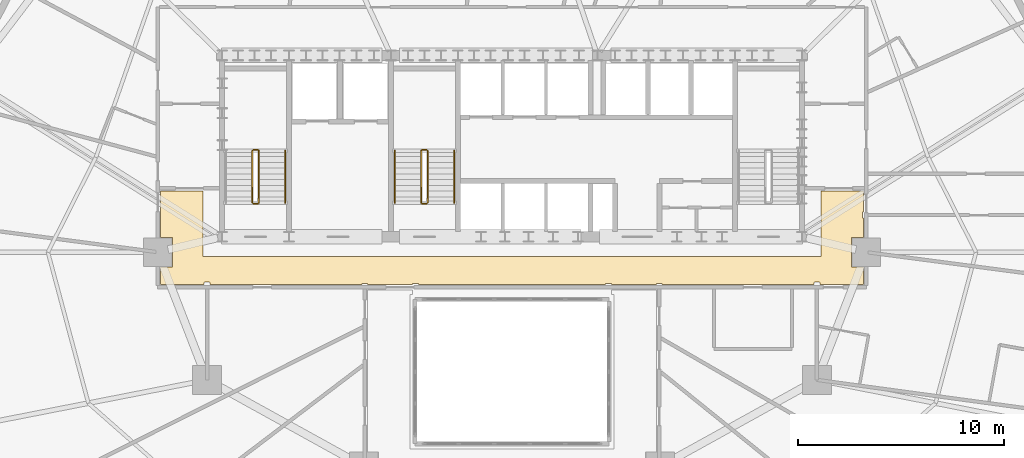
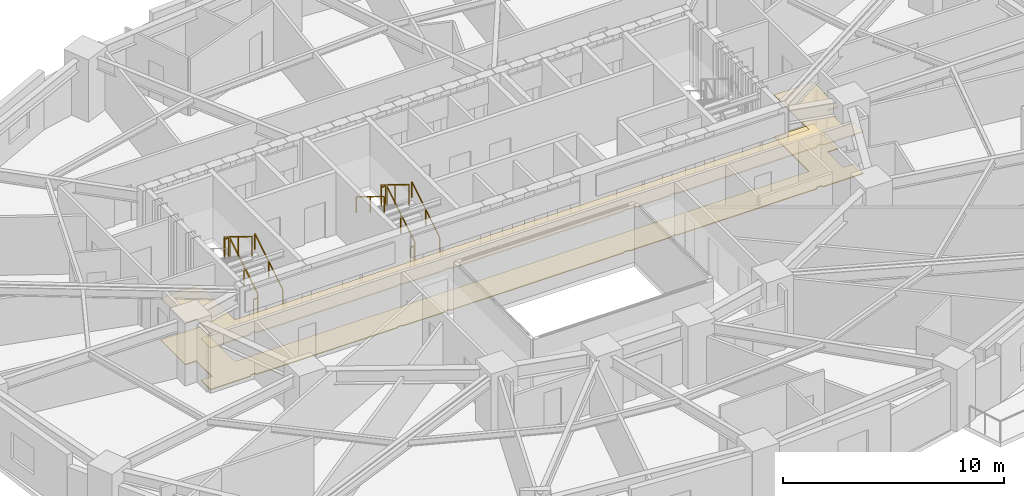
# One storey, part 14 of 15: 11 railings, 2 coverings.
"""IFC4 building model written with IfcOpenShell, lengths in metres."""

from ifc_helpers import new_model, si_unit, direction, frame, origin, origin_2d, place, context, subcontext, project, spatial, polyline, rectangle, outline, extrude, material, layer, layer_set, type_object, element, save


model = new_model("IFC4")

# Units and contexts
model_context = context("Model", 3, precision=1e-05, world=origin(), true_north=direction((0.0, 1.0)))
body_context = subcontext(model_context, "Body", "Model", "MODEL_VIEW")
ifc_project = project(units=[si_unit("LENGTHUNIT", "METRE"), si_unit("AREAUNIT", "SQUARE_METRE"), si_unit("VOLUMEUNIT", "CUBIC_METRE"), si_unit("PLANEANGLEUNIT", "RADIAN"), si_unit("MASSUNIT", "GRAM", prefix="KILO")], contexts=[model_context])

# Site, building, storey
site_placement = place(None, origin())
site = spatial("IfcSite", under=ifc_project, at=site_placement, CompositionType="ELEMENT")
building_placement = place(site_placement, origin())
building = spatial("IfcBuilding", under=site, at=building_placement, Name="Haldorwick Loom Tower", CompositionType="ELEMENT")
storey_placement = place(building_placement, frame((0.0, 0.0, 85.25)))
storey = spatial("IfcBuildingStorey", under=building, at=storey_placement, Name="L22", CompositionType="ELEMENT", Elevation=85.25)

# Coverings
ifc_material_1 = material(Name="Mineral Fibre Acoustic Ceiling Tile")
ifc_layer_1 = layer(ifc_material_1, 0.054931640625, Name="Mineral Fibre Acoustic Ceiling Tile")
ifc_layer_set_1 = layer_set([ifc_layer_1], Name="Mineral Fibre Acoustic Ceiling Tile")
covering_type_1 = type_object("IfcCoveringType", Name="ARC-COV-CEIL2", PredefinedType="CEILING", material=ifc_layer_set_1)
covering_1_placement = place(storey_placement, frame((0.0, 0.0, 2.302001953125)))
element("IfcCovering", 1, at=covering_1_placement, inside=storey, type_object=covering_type_1, Name="L22 Acoustic Suspended Ceiling 2", PredefinedType="CEILING", context=body_context, shape_type="SweptSolid", body=[
    extrude(outline(polyline([(51.0, 28.9599609375), (51.0, 25.800048828125), (21.0, 25.800048828125), (21.0, 28.9599609375), (18.93994140625, 28.9599609375), (18.93994140625, 26.7080078125), (19.508056640625, 26.7080078125), (19.508056640625, 25.2919921875), (18.93994140625, 25.2919921875), (18.93994140625, 24.43994140625), (21.06005859375, 24.43994140625), (21.06005859375, 24.52001953125), (21.06005859375, 24.52197265625), (21.060302734375, 24.52392578125), (21.060791015625, 24.52587890625), (21.0615234375, 24.527587890625), (21.0625, 24.529296875), (21.0634765625, 24.531005859375), (21.064453125, 24.53271484375), (21.06591796875, 24.5341796875), (21.0673828125, 24.535400390625), (21.06884765625, 24.53662109375), (21.070556640625, 24.53759765625), (21.072265625, 24.53857421875), (21.07421875, 24.5390625), (21.076171875, 24.53955078125), (21.077880859375, 24.539794921875), (21.080078125, 24.5400390625), (21.320068359375, 24.5400390625), (21.322021484375, 24.539794921875), (21.323974609375, 24.53955078125), (21.32568359375, 24.5390625), (21.32763671875, 24.53857421875), (21.329345703125, 24.53759765625), (21.3310546875, 24.53662109375), (21.332763671875, 24.535400390625), (21.333984375, 24.5341796875), (21.33544921875, 24.53271484375), (21.336669921875, 24.531005859375), (21.337646484375, 24.529296875), (21.33837890625, 24.527587890625), (21.339111328125, 24.52587890625), (21.339599609375, 24.52392578125), (21.33984375, 24.52197265625), (21.340087890625, 24.52001953125), (21.340087890625, 24.43994140625), (28.7099609375, 24.43994140625), (28.7099609375, 24.469970703125), (28.710205078125, 24.471923828125), (28.71044921875, 24.473876953125), (28.7109375, 24.475830078125), (28.71142578125, 24.477783203125), (28.71240234375, 24.4794921875), (28.71337890625, 24.481201171875), (28.714599609375, 24.482666015625), (28.7158203125, 24.484130859375), (28.71728515625, 24.485595703125), (28.718994140625, 24.486572265625), (28.720703125, 24.487548828125), (28.722412109375, 24.488525390625), (28.72412109375, 24.489013671875), (28.72607421875, 24.489501953125), (28.72802734375, 24.489990234375), (28.72998046875, 24.489990234375), (28.969970703125, 24.489990234375), (28.971923828125, 24.489990234375), (28.973876953125, 24.489501953125), (28.975830078125, 24.489013671875), (28.977783203125, 24.488525390625), (28.9794921875, 24.487548828125), (28.981201171875, 24.486572265625), (28.982666015625, 24.485595703125), (28.984130859375, 24.484130859375), (28.985595703125, 24.482666015625), (28.986572265625, 24.481201171875), (28.987548828125, 24.4794921875), (28.988525390625, 24.477783203125), (28.989013671875, 24.475830078125), (28.989501953125, 24.473876953125), (28.989990234375, 24.471923828125), (28.989990234375, 24.469970703125), (28.989990234375, 24.43994140625), (31.179931640625, 24.43994140625), (31.179931640625, 24.469970703125), (31.18017578125, 24.471923828125), (31.180419921875, 24.473876953125), (31.180908203125, 24.475830078125), (31.181396484375, 24.477783203125), (31.182373046875, 24.4794921875), (31.183349609375, 24.481201171875), (31.1845703125, 24.482666015625), (31.185791015625, 24.484130859375), (31.187255859375, 24.485595703125), (31.18896484375, 24.486572265625), (31.190673828125, 24.487548828125), (31.1923828125, 24.488525390625), (31.194091796875, 24.489013671875), (31.196044921875, 24.489501953125), (31.197998046875, 24.489990234375), (31.199951171875, 24.489990234375), (31.43994140625, 24.489990234375), (31.44189453125, 24.489990234375), (31.44384765625, 24.489501953125), (31.44580078125, 24.489013671875), (31.44775390625, 24.488525390625), (31.449462890625, 24.487548828125), (31.451171875, 24.486572265625), (31.45263671875, 24.485595703125), (31.4541015625, 24.484130859375), (31.45556640625, 24.482666015625), (31.45654296875, 24.481201171875), (31.45751953125, 24.4794921875), (31.45849609375, 24.477783203125), (31.458984375, 24.475830078125), (31.459716796875, 24.473876953125), (31.4599609375, 24.471923828125), (31.4599609375, 24.469970703125), (31.4599609375, 24.43994140625), (40.5400390625, 24.43994140625), (40.5400390625, 24.469970703125), (40.5400390625, 24.471923828125), (40.540283203125, 24.473876953125), (40.541015625, 24.475830078125), (40.54150390625, 24.477783203125), (40.54248046875, 24.4794921875), (40.54345703125, 24.481201171875), (40.54443359375, 24.482666015625), (40.5458984375, 24.484130859375), (40.54736328125, 24.485595703125), (40.548828125, 24.486572265625), (40.550537109375, 24.487548828125), (40.55224609375, 24.488525390625), (40.55419921875, 24.489013671875), (40.55615234375, 24.489501953125), (40.55810546875, 24.489990234375), (40.56005859375, 24.489990234375), (40.800048828125, 24.489990234375), (40.802001953125, 24.489990234375), (40.803955078125, 24.489501953125), (40.805908203125, 24.489013671875), (40.8076171875, 24.488525390625), (40.809326171875, 24.487548828125), (40.81103515625, 24.486572265625), (40.812744140625, 24.485595703125), (40.814208984375, 24.484130859375), (40.8154296875, 24.482666015625), (40.816650390625, 24.481201171875), (40.817626953125, 24.4794921875), (40.818603515625, 24.477783203125), (40.819091796875, 24.475830078125), (40.819580078125, 24.473876953125), (40.81982421875, 24.471923828125), (40.820068359375, 24.469970703125), (40.820068359375, 24.43994140625), (43.010009765625, 24.43994140625), (43.010009765625, 24.469970703125), (43.010009765625, 24.471923828125), (43.010498046875, 24.473876953125), (43.010986328125, 24.475830078125), (43.011474609375, 24.477783203125), (43.012451171875, 24.4794921875), (43.013427734375, 24.481201171875), (43.014404296875, 24.482666015625), (43.015869140625, 24.484130859375), (43.017333984375, 24.485595703125), (43.018798828125, 24.486572265625), (43.0205078125, 24.487548828125), (43.022216796875, 24.488525390625), (43.024169921875, 24.489013671875), (43.026123046875, 24.489501953125), (43.028076171875, 24.489990234375), (43.030029296875, 24.489990234375), (43.27001953125, 24.489990234375), (43.27197265625, 24.489990234375), (43.27392578125, 24.489501953125), (43.27587890625, 24.489013671875), (43.277587890625, 24.488525390625), (43.279296875, 24.487548828125), (43.281005859375, 24.486572265625), (43.28271484375, 24.485595703125), (43.2841796875, 24.484130859375), (43.285400390625, 24.482666015625), (43.28662109375, 24.481201171875), (43.28759765625, 24.4794921875), (43.28857421875, 24.477783203125), (43.2890625, 24.475830078125), (43.28955078125, 24.473876953125), (43.289794921875, 24.471923828125), (43.2900390625, 24.469970703125), (43.2900390625, 24.43994140625), (50.659912109375, 24.43994140625), (50.659912109375, 24.52001953125), (50.66015625, 24.52197265625), (50.660400390625, 24.52392578125), (50.660888671875, 24.52587890625), (50.66162109375, 24.527587890625), (50.662353515625, 24.529296875), (50.663330078125, 24.531005859375), (50.66455078125, 24.53271484375), (50.666015625, 24.5341796875), (50.667236328125, 24.535400390625), (50.6689453125, 24.53662109375), (50.670654296875, 24.53759765625), (50.67236328125, 24.53857421875), (50.67431640625, 24.5390625), (50.676025390625, 24.53955078125), (50.677978515625, 24.539794921875), (50.679931640625, 24.5400390625), (50.919921875, 24.5400390625), (50.922119140625, 24.539794921875), (50.923828125, 24.53955078125), (50.92578125, 24.5390625), (50.927734375, 24.53857421875), (50.929443359375, 24.53759765625), (50.93115234375, 24.53662109375), (50.9326171875, 24.535400390625), (50.93408203125, 24.5341796875), (50.935546875, 24.53271484375), (50.9365234375, 24.531005859375), (50.9375, 24.529296875), (50.9384765625, 24.527587890625), (50.939208984375, 24.52587890625), (50.939697265625, 24.52392578125), (50.93994140625, 24.52197265625), (50.93994140625, 24.52001953125), (50.93994140625, 24.43994140625), (53.06005859375, 24.43994140625), (53.06005859375, 25.2919921875), (52.491943359375, 25.2919921875), (52.491943359375, 26.7080078125), (53.06005859375, 26.7080078125), (53.06005859375, 27.659912109375), (53.030029296875, 27.659912109375), (53.028076171875, 27.66015625), (53.026123046875, 27.660400390625), (53.024169921875, 27.660888671875), (53.022216796875, 27.66162109375), (53.0205078125, 27.662353515625), (53.018798828125, 27.663330078125), (53.017333984375, 27.66455078125), (53.015869140625, 27.666015625), (53.014404296875, 27.667236328125), (53.013427734375, 27.6689453125), (53.012451171875, 27.670654296875), (53.011474609375, 27.67236328125), (53.010986328125, 27.67431640625), (53.010498046875, 27.676025390625), (53.010009765625, 27.677978515625), (53.010009765625, 27.679931640625), (53.010009765625, 27.919921875), (53.010009765625, 27.922119140625), (53.010498046875, 27.923828125), (53.010986328125, 27.92578125), (53.011474609375, 27.927734375), (53.012451171875, 27.929443359375), (53.013427734375, 27.93115234375), (53.014404296875, 27.9326171875), (53.015869140625, 27.93408203125), (53.017333984375, 27.935546875), (53.018798828125, 27.9365234375), (53.0205078125, 27.9375), (53.022216796875, 27.9384765625), (53.024169921875, 27.939208984375), (53.026123046875, 27.939697265625), (53.028076171875, 27.93994140625), (53.030029296875, 27.93994140625), (53.06005859375, 27.93994140625), (53.06005859375, 28.9599609375), (51.0, 28.9599609375)])), origin(), (0.0, 0.0, 1.0), 0.054931640625),
])
ifc_material_2 = material(Name="Polished Aggregate Terrazzo Finish")
ifc_layer_2 = layer(ifc_material_2, 0.044921875, Name="Polished Aggregate Terrazzo Finish")
ifc_layer_set_2 = layer_set([ifc_layer_2], Name="Polished Aggregate Terrazzo Finish")
covering_type_2 = type_object("IfcCoveringType", Name="ARC-COV-FLOOR2", PredefinedType="FLOORING", material=ifc_layer_set_2)
covering_2_placement = place(storey_placement, origin())
element("IfcCovering", 2, at=covering_2_placement, inside=storey, type_object=covering_type_2, Name="L22 Floor Finish 2", PredefinedType="FLOORING", context=body_context, shape_type="SweptSolid", body=[
    extrude(outline(polyline([(51.0, 28.9599609375), (51.0, 25.800048828125), (21.0, 25.800048828125), (21.0, 28.9599609375), (18.93994140625, 28.9599609375), (18.93994140625, 26.7080078125), (19.508056640625, 26.7080078125), (19.508056640625, 25.2919921875), (18.93994140625, 25.2919921875), (18.93994140625, 24.43994140625), (21.06005859375, 24.43994140625), (21.06005859375, 24.52001953125), (21.06005859375, 24.52197265625), (21.060302734375, 24.52392578125), (21.060791015625, 24.52587890625), (21.0615234375, 24.527587890625), (21.0625, 24.529296875), (21.0634765625, 24.531005859375), (21.064453125, 24.53271484375), (21.06591796875, 24.5341796875), (21.0673828125, 24.535400390625), (21.06884765625, 24.53662109375), (21.070556640625, 24.53759765625), (21.072265625, 24.53857421875), (21.07421875, 24.5390625), (21.076171875, 24.53955078125), (21.077880859375, 24.539794921875), (21.080078125, 24.5400390625), (21.320068359375, 24.5400390625), (21.322021484375, 24.539794921875), (21.323974609375, 24.53955078125), (21.32568359375, 24.5390625), (21.32763671875, 24.53857421875), (21.329345703125, 24.53759765625), (21.3310546875, 24.53662109375), (21.332763671875, 24.535400390625), (21.333984375, 24.5341796875), (21.33544921875, 24.53271484375), (21.336669921875, 24.531005859375), (21.337646484375, 24.529296875), (21.33837890625, 24.527587890625), (21.339111328125, 24.52587890625), (21.339599609375, 24.52392578125), (21.33984375, 24.52197265625), (21.340087890625, 24.52001953125), (21.340087890625, 24.43994140625), (28.7099609375, 24.43994140625), (28.7099609375, 24.469970703125), (28.710205078125, 24.471923828125), (28.71044921875, 24.473876953125), (28.7109375, 24.475830078125), (28.71142578125, 24.477783203125), (28.71240234375, 24.4794921875), (28.71337890625, 24.481201171875), (28.714599609375, 24.482666015625), (28.7158203125, 24.484130859375), (28.71728515625, 24.485595703125), (28.718994140625, 24.486572265625), (28.720703125, 24.487548828125), (28.722412109375, 24.488525390625), (28.72412109375, 24.489013671875), (28.72607421875, 24.489501953125), (28.72802734375, 24.489990234375), (28.72998046875, 24.489990234375), (28.969970703125, 24.489990234375), (28.971923828125, 24.489990234375), (28.973876953125, 24.489501953125), (28.975830078125, 24.489013671875), (28.977783203125, 24.488525390625), (28.9794921875, 24.487548828125), (28.981201171875, 24.486572265625), (28.982666015625, 24.485595703125), (28.984130859375, 24.484130859375), (28.985595703125, 24.482666015625), (28.986572265625, 24.481201171875), (28.987548828125, 24.4794921875), (28.988525390625, 24.477783203125), (28.989013671875, 24.475830078125), (28.989501953125, 24.473876953125), (28.989990234375, 24.471923828125), (28.989990234375, 24.469970703125), (28.989990234375, 24.43994140625), (31.179931640625, 24.43994140625), (31.179931640625, 24.469970703125), (31.18017578125, 24.471923828125), (31.180419921875, 24.473876953125), (31.180908203125, 24.475830078125), (31.181396484375, 24.477783203125), (31.182373046875, 24.4794921875), (31.183349609375, 24.481201171875), (31.1845703125, 24.482666015625), (31.185791015625, 24.484130859375), (31.187255859375, 24.485595703125), (31.18896484375, 24.486572265625), (31.190673828125, 24.487548828125), (31.1923828125, 24.488525390625), (31.194091796875, 24.489013671875), (31.196044921875, 24.489501953125), (31.197998046875, 24.489990234375), (31.199951171875, 24.489990234375), (31.43994140625, 24.489990234375), (31.44189453125, 24.489990234375), (31.44384765625, 24.489501953125), (31.44580078125, 24.489013671875), (31.44775390625, 24.488525390625), (31.449462890625, 24.487548828125), (31.451171875, 24.486572265625), (31.45263671875, 24.485595703125), (31.4541015625, 24.484130859375), (31.45556640625, 24.482666015625), (31.45654296875, 24.481201171875), (31.45751953125, 24.4794921875), (31.45849609375, 24.477783203125), (31.458984375, 24.475830078125), (31.459716796875, 24.473876953125), (31.4599609375, 24.471923828125), (31.4599609375, 24.469970703125), (31.4599609375, 24.43994140625), (40.5400390625, 24.43994140625), (40.5400390625, 24.469970703125), (40.5400390625, 24.471923828125), (40.540283203125, 24.473876953125), (40.541015625, 24.475830078125), (40.54150390625, 24.477783203125), (40.54248046875, 24.4794921875), (40.54345703125, 24.481201171875), (40.54443359375, 24.482666015625), (40.5458984375, 24.484130859375), (40.54736328125, 24.485595703125), (40.548828125, 24.486572265625), (40.550537109375, 24.487548828125), (40.55224609375, 24.488525390625), (40.55419921875, 24.489013671875), (40.55615234375, 24.489501953125), (40.55810546875, 24.489990234375), (40.56005859375, 24.489990234375), (40.800048828125, 24.489990234375), (40.802001953125, 24.489990234375), (40.803955078125, 24.489501953125), (40.805908203125, 24.489013671875), (40.8076171875, 24.488525390625), (40.809326171875, 24.487548828125), (40.81103515625, 24.486572265625), (40.812744140625, 24.485595703125), (40.814208984375, 24.484130859375), (40.8154296875, 24.482666015625), (40.816650390625, 24.481201171875), (40.817626953125, 24.4794921875), (40.818603515625, 24.477783203125), (40.819091796875, 24.475830078125), (40.819580078125, 24.473876953125), (40.81982421875, 24.471923828125), (40.820068359375, 24.469970703125), (40.820068359375, 24.43994140625), (43.010009765625, 24.43994140625), (43.010009765625, 24.469970703125), (43.010009765625, 24.471923828125), (43.010498046875, 24.473876953125), (43.010986328125, 24.475830078125), (43.011474609375, 24.477783203125), (43.012451171875, 24.4794921875), (43.013427734375, 24.481201171875), (43.014404296875, 24.482666015625), (43.015869140625, 24.484130859375), (43.017333984375, 24.485595703125), (43.018798828125, 24.486572265625), (43.0205078125, 24.487548828125), (43.022216796875, 24.488525390625), (43.024169921875, 24.489013671875), (43.026123046875, 24.489501953125), (43.028076171875, 24.489990234375), (43.030029296875, 24.489990234375), (43.27001953125, 24.489990234375), (43.27197265625, 24.489990234375), (43.27392578125, 24.489501953125), (43.27587890625, 24.489013671875), (43.277587890625, 24.488525390625), (43.279296875, 24.487548828125), (43.281005859375, 24.486572265625), (43.28271484375, 24.485595703125), (43.2841796875, 24.484130859375), (43.285400390625, 24.482666015625), (43.28662109375, 24.481201171875), (43.28759765625, 24.4794921875), (43.28857421875, 24.477783203125), (43.2890625, 24.475830078125), (43.28955078125, 24.473876953125), (43.289794921875, 24.471923828125), (43.2900390625, 24.469970703125), (43.2900390625, 24.43994140625), (50.659912109375, 24.43994140625), (50.659912109375, 24.52001953125), (50.66015625, 24.52197265625), (50.660400390625, 24.52392578125), (50.660888671875, 24.52587890625), (50.66162109375, 24.527587890625), (50.662353515625, 24.529296875), (50.663330078125, 24.531005859375), (50.66455078125, 24.53271484375), (50.666015625, 24.5341796875), (50.667236328125, 24.535400390625), (50.6689453125, 24.53662109375), (50.670654296875, 24.53759765625), (50.67236328125, 24.53857421875), (50.67431640625, 24.5390625), (50.676025390625, 24.53955078125), (50.677978515625, 24.539794921875), (50.679931640625, 24.5400390625), (50.919921875, 24.5400390625), (50.922119140625, 24.539794921875), (50.923828125, 24.53955078125), (50.92578125, 24.5390625), (50.927734375, 24.53857421875), (50.929443359375, 24.53759765625), (50.93115234375, 24.53662109375), (50.9326171875, 24.535400390625), (50.93408203125, 24.5341796875), (50.935546875, 24.53271484375), (50.9365234375, 24.531005859375), (50.9375, 24.529296875), (50.9384765625, 24.527587890625), (50.939208984375, 24.52587890625), (50.939697265625, 24.52392578125), (50.93994140625, 24.52197265625), (50.93994140625, 24.52001953125), (50.93994140625, 24.43994140625), (53.06005859375, 24.43994140625), (53.06005859375, 25.2919921875), (52.491943359375, 25.2919921875), (52.491943359375, 26.7080078125), (53.06005859375, 26.7080078125), (53.06005859375, 27.659912109375), (53.030029296875, 27.659912109375), (53.028076171875, 27.66015625), (53.026123046875, 27.660400390625), (53.024169921875, 27.660888671875), (53.022216796875, 27.66162109375), (53.0205078125, 27.662353515625), (53.018798828125, 27.663330078125), (53.017333984375, 27.66455078125), (53.015869140625, 27.666015625), (53.014404296875, 27.667236328125), (53.013427734375, 27.6689453125), (53.012451171875, 27.670654296875), (53.011474609375, 27.67236328125), (53.010986328125, 27.67431640625), (53.010498046875, 27.676025390625), (53.010009765625, 27.677978515625), (53.010009765625, 27.679931640625), (53.010009765625, 27.919921875), (53.010009765625, 27.922119140625), (53.010498046875, 27.923828125), (53.010986328125, 27.92578125), (53.011474609375, 27.927734375), (53.012451171875, 27.929443359375), (53.013427734375, 27.93115234375), (53.014404296875, 27.9326171875), (53.015869140625, 27.93408203125), (53.017333984375, 27.935546875), (53.018798828125, 27.9365234375), (53.0205078125, 27.9375), (53.022216796875, 27.9384765625), (53.024169921875, 27.939208984375), (53.026123046875, 27.939697265625), (53.028076171875, 27.93994140625), (53.030029296875, 27.93994140625), (53.06005859375, 27.93994140625), (53.06005859375, 28.9599609375), (51.0, 28.9599609375)])), origin(), (0.0, 0.0, 1.0), 0.044921875),
])

# Railings
ifc_material_3 = material(Name="Steel CSA G40.21 350W", Category="steel")
railing_type_1 = type_object("IfcRailingType", Name="ARC-RLG-GUARD112", PredefinedType="GUARDRAIL", material=ifc_material_3)
railing_1_placement = place(storey_placement, frame((23.699951171875, 28.39990234375, 0.172607421875)))
element("IfcRailing", 3, at=railing_1_placement, inside=storey, type_object=railing_type_1, Name="L22 ST-01 stair guard 1", PredefinedType="GUARDRAIL", context=body_context, shape_type="SweptSolid", body=[
    extrude(rectangle(XDim=0.048095703125, YDim=0.048095703125, at=origin_2d()), frame((0.0, 0.0, 1.076171875), z_axis=(0.0, 0.851400495292, 0.524516154772), x_axis=(-1.0, 0.0, 0.0)), (0.0, 0.0, 1.0), 2.9599609375),
    extrude(rectangle(XDim=0.0419921875, YDim=0.0419921875, at=origin_2d()), origin(), (0.0, 0.0, 1.0), 1.052001953125),
    extrude(rectangle(XDim=0.0419921875, YDim=0.0419921875, at=origin_2d()), frame((0.0, 1.260009765625, 0.7763671875)), (0.0, 0.0, 1.0), 1.052001953125),
    extrude(rectangle(XDim=0.0419921875, YDim=0.0419921875, at=origin_2d()), frame((0.0, 2.52001953125, 1.552490234375)), (0.0, 0.0, 1.0), 1.052001953125),
])
railing_2_placement = place(storey_placement, frame((23.64990234375, 30.969970703125, 1.72509765625)))
element("IfcRailing", 4, at=railing_2_placement, inside=storey, type_object=railing_type_1, Name="L22 ST-01 stair guard 2", PredefinedType="GUARDRAIL", context=body_context, shape_type="SweptSolid", body=[
    extrude(rectangle(XDim=0.048095703125, YDim=0.048095703125, at=origin_2d()), frame((0.0, 0.0, 1.076171875), z_axis=(-1.0, 0.0, 0.0), x_axis=(0.0, -1.0, 0.0)), (0.0, 0.0, 1.0), 0.199951171875),
    extrude(rectangle(XDim=0.0419921875, YDim=0.0419921875, at=origin_2d()), origin(), (0.0, 0.0, 1.0), 1.052001953125),
    extrude(rectangle(XDim=0.0419921875, YDim=0.0419921875, at=origin_2d()), frame((-0.199951171875, 0.0, 0.0)), (0.0, 0.0, 1.0), 1.052001953125),
])
railing_3_placement = place(storey_placement, frame((23.39990234375, 30.919921875, 1.8974609375)))
element("IfcRailing", 5, at=railing_3_placement, inside=storey, type_object=railing_type_1, Name="L22 ST-01 stair guard 3", PredefinedType="GUARDRAIL", context=body_context, shape_type="SweptSolid", body=[
    extrude(rectangle(XDim=0.048095703125, YDim=0.048095703125, at=origin_2d()), frame((0.0, 0.0, 1.076171875), z_axis=(0.0, -0.851400495292, 0.524516154772), x_axis=(1.0, 0.0, 0.0)), (0.0, 0.0, 1.0), 2.9599609375),
    extrude(rectangle(XDim=0.0419921875, YDim=0.0419921875, at=origin_2d()), origin(), (0.0, 0.0, 1.0), 1.052001953125),
    extrude(rectangle(XDim=0.0419921875, YDim=0.0419921875, at=origin_2d()), frame((0.0, -1.260009765625, 0.7763671875)), (0.0, 0.0, 1.0), 1.052001953125),
    extrude(rectangle(XDim=0.0419921875, YDim=0.0419921875, at=origin_2d()), frame((0.0, -2.52001953125, 1.552490234375)), (0.0, 0.0, 1.0), 1.052001953125),
])
railing_4_placement = place(storey_placement, frame((23.64990234375, 28.35009765625, 0.0)))
element("IfcRailing", 6, at=railing_4_placement, inside=storey, type_object=railing_type_1, Name="L22 ST-01 stair guard 4", PredefinedType="GUARDRAIL", context=body_context, shape_type="SweptSolid", body=[
    extrude(rectangle(XDim=0.048095703125, YDim=0.048095703125, at=origin_2d()), frame((0.0, 0.0, 1.076171875), z_axis=(-1.0, 0.0, 0.0), x_axis=(0.0, -1.0, 0.0)), (0.0, 0.0, 1.0), 0.199951171875),
    extrude(rectangle(XDim=0.0419921875, YDim=0.0419921875, at=origin_2d()), origin(), (0.0, 0.0, 1.0), 1.052001953125),
    extrude(rectangle(XDim=0.0419921875, YDim=0.0419921875, at=origin_2d()), frame((-0.199951171875, 0.0, 0.0)), (0.0, 0.0, 1.0), 1.052001953125),
])
railing_5_placement = place(storey_placement, frame((31.89990234375, 28.39990234375, 0.172607421875)))
element("IfcRailing", 7, at=railing_5_placement, inside=storey, type_object=railing_type_1, Name="L22 ST-03 stair guard 1", PredefinedType="GUARDRAIL", context=body_context, shape_type="SweptSolid", body=[
    extrude(rectangle(XDim=0.048095703125, YDim=0.048095703125, at=origin_2d()), frame((0.0, 0.0, 1.076171875), z_axis=(0.0, 0.851400495292, 0.524516154772), x_axis=(-1.0, 0.0, 0.0)), (0.0, 0.0, 1.0), 2.9599609375),
    extrude(rectangle(XDim=0.0419921875, YDim=0.0419921875, at=origin_2d()), origin(), (0.0, 0.0, 1.0), 1.052001953125),
    extrude(rectangle(XDim=0.0419921875, YDim=0.0419921875, at=origin_2d()), frame((0.0, 1.260009765625, 0.7763671875)), (0.0, 0.0, 1.0), 1.052001953125),
    extrude(rectangle(XDim=0.0419921875, YDim=0.0419921875, at=origin_2d()), frame((0.0, 2.52001953125, 1.552490234375)), (0.0, 0.0, 1.0), 1.052001953125),
])
railing_6_placement = place(storey_placement, frame((31.85009765625, 30.969970703125, 1.72509765625)))
element("IfcRailing", 8, at=railing_6_placement, inside=storey, type_object=railing_type_1, Name="L22 ST-03 stair guard 2", PredefinedType="GUARDRAIL", context=body_context, shape_type="SweptSolid", body=[
    extrude(rectangle(XDim=0.048095703125, YDim=0.048095703125, at=origin_2d()), frame((0.0, 0.0, 1.076171875), z_axis=(-1.0, 0.0, 0.0), x_axis=(0.0, -1.0, 0.0)), (0.0, 0.0, 1.0), 0.2001953125),
    extrude(rectangle(XDim=0.0419921875, YDim=0.0419921875, at=origin_2d()), origin(), (0.0, 0.0, 1.0), 1.052001953125),
    extrude(rectangle(XDim=0.0419921875, YDim=0.0419921875, at=origin_2d()), frame((-0.2001953125, 0.0, 0.0)), (0.0, 0.0, 1.0), 1.052001953125),
])
railing_7_placement = place(storey_placement, frame((31.60009765625, 30.919921875, 1.8974609375)))
element("IfcRailing", 9, at=railing_7_placement, inside=storey, type_object=railing_type_1, Name="L22 ST-03 stair guard 3", PredefinedType="GUARDRAIL", context=body_context, shape_type="SweptSolid", body=[
    extrude(rectangle(XDim=0.048095703125, YDim=0.048095703125, at=origin_2d()), frame((0.0, 0.0, 1.076171875), z_axis=(0.0, -0.851400495292, 0.524516154772), x_axis=(1.0, 0.0, 0.0)), (0.0, 0.0, 1.0), 2.9599609375),
    extrude(rectangle(XDim=0.0419921875, YDim=0.0419921875, at=origin_2d()), origin(), (0.0, 0.0, 1.0), 1.052001953125),
    extrude(rectangle(XDim=0.0419921875, YDim=0.0419921875, at=origin_2d()), frame((0.0, -1.260009765625, 0.7763671875)), (0.0, 0.0, 1.0), 1.052001953125),
    extrude(rectangle(XDim=0.0419921875, YDim=0.0419921875, at=origin_2d()), frame((0.0, -2.52001953125, 1.552490234375)), (0.0, 0.0, 1.0), 1.052001953125),
])
railing_8_placement = place(storey_placement, frame((31.85009765625, 28.35009765625, 0.0)))
element("IfcRailing", 10, at=railing_8_placement, inside=storey, type_object=railing_type_1, Name="L22 ST-03 stair guard 4", PredefinedType="GUARDRAIL", context=body_context, shape_type="SweptSolid", body=[
    extrude(rectangle(XDim=0.048095703125, YDim=0.048095703125, at=origin_2d()), frame((0.0, 0.0, 1.076171875), z_axis=(-1.0, 0.0, 0.0), x_axis=(0.0, -1.0, 0.0)), (0.0, 0.0, 1.0), 0.2001953125),
    extrude(rectangle(XDim=0.0419921875, YDim=0.0419921875, at=origin_2d()), origin(), (0.0, 0.0, 1.0), 1.052001953125),
    extrude(rectangle(XDim=0.0419921875, YDim=0.0419921875, at=origin_2d()), frame((-0.2001953125, 0.0, 0.0)), (0.0, 0.0, 1.0), 1.052001953125),
])
railing_type_2 = type_object("IfcRailingType", Name="ARC-RLG-HAND092", PredefinedType="HANDRAIL", material=ifc_material_3)
for number, where, name in (
    (11, (25.0, 28.39990234375, 0.172607421875), "L22 ST-01 stair handrail 1"),
    (12, (33.199951171875, 28.39990234375, 0.172607421875), "L22 ST-03 stair handrail 1"),
):
    element("IfcRailing", number, at=place(storey_placement, frame(where)), inside=storey, type_object=railing_type_2, Name=name, PredefinedType="HANDRAIL", context=body_context, shape_type="SweptSolid", body=[
        extrude(rectangle(XDim=0.048095703125, YDim=0.048095703125, at=origin_2d()), frame((0.0, 0.0, 0.8759765625), z_axis=(0.0, 0.851400495292, 0.524516154772), x_axis=(-1.0, 0.0, 0.0)), (0.0, 0.0, 1.0), 2.9599609375),
        extrude(rectangle(XDim=0.0419921875, YDim=0.0419921875, at=origin_2d()), origin(), (0.0, 0.0, 1.0), 0.851806640625),
        extrude(rectangle(XDim=0.0419921875, YDim=0.0419921875, at=origin_2d()), frame((0.0, 1.260009765625, 0.7763671875)), (0.0, 0.0, 1.0), 0.851806640625),
        extrude(rectangle(XDim=0.0419921875, YDim=0.0419921875, at=origin_2d()), frame((0.0, 2.52001953125, 1.552490234375)), (0.0, 0.0, 1.0), 0.851806640625),
    ])
railing_9_placement = place(storey_placement, frame((30.300048828125, 30.919921875, 1.8974609375)))
element("IfcRailing", 13, at=railing_9_placement, inside=storey, type_object=railing_type_2, Name="L22 ST-03 stair handrail 2", PredefinedType="HANDRAIL", context=body_context, shape_type="SweptSolid", body=[
    extrude(rectangle(XDim=0.048095703125, YDim=0.048095703125, at=origin_2d()), frame((0.0, 0.0, 0.8759765625), z_axis=(0.0, -0.851400495292, 0.524516154772), x_axis=(1.0, 0.0, 0.0)), (0.0, 0.0, 1.0), 2.9599609375),
    extrude(rectangle(XDim=0.0419921875, YDim=0.0419921875, at=origin_2d()), origin(), (0.0, 0.0, 1.0), 0.851806640625),
    extrude(rectangle(XDim=0.0419921875, YDim=0.0419921875, at=origin_2d()), frame((0.0, -1.260009765625, 0.7763671875)), (0.0, 0.0, 1.0), 0.851806640625),
    extrude(rectangle(XDim=0.0419921875, YDim=0.0419921875, at=origin_2d()), frame((0.0, -2.52001953125, 1.552490234375)), (0.0, 0.0, 1.0), 0.851806640625),
])

save(model, "model.ifc")
